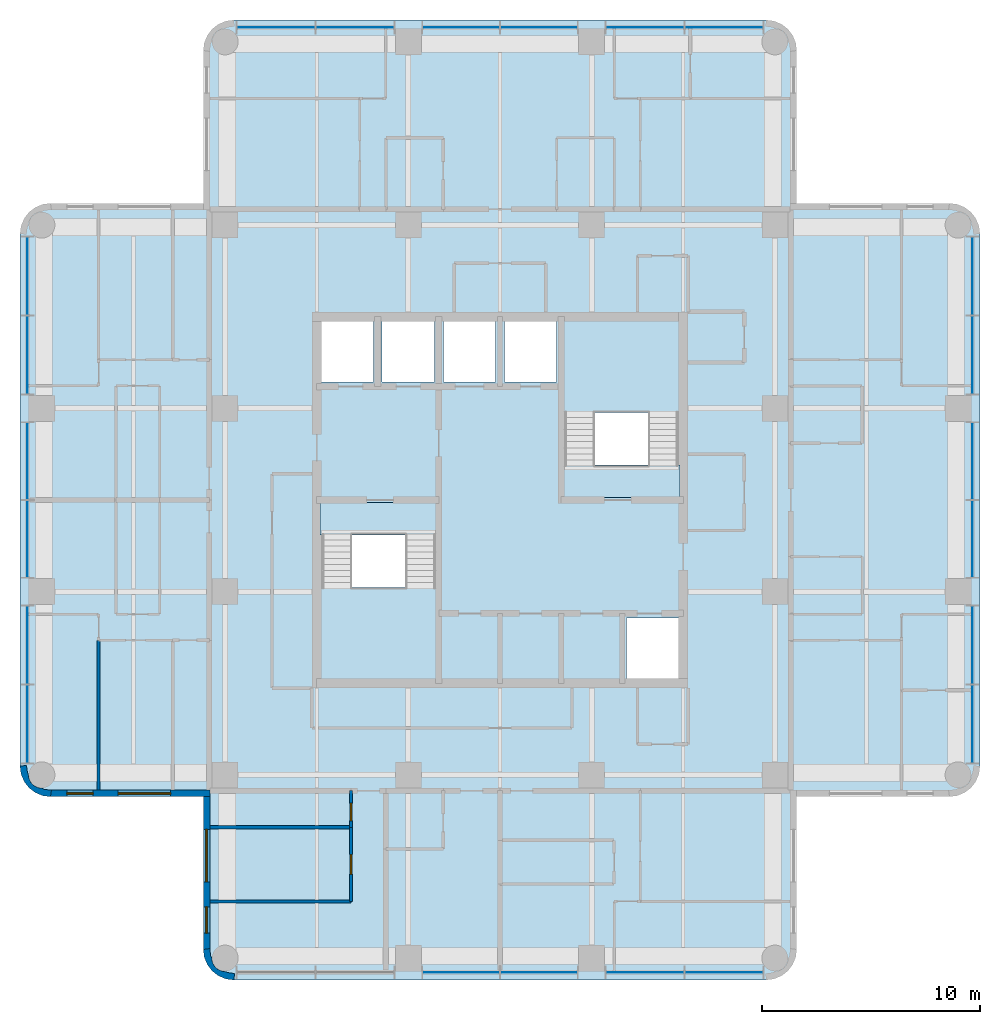
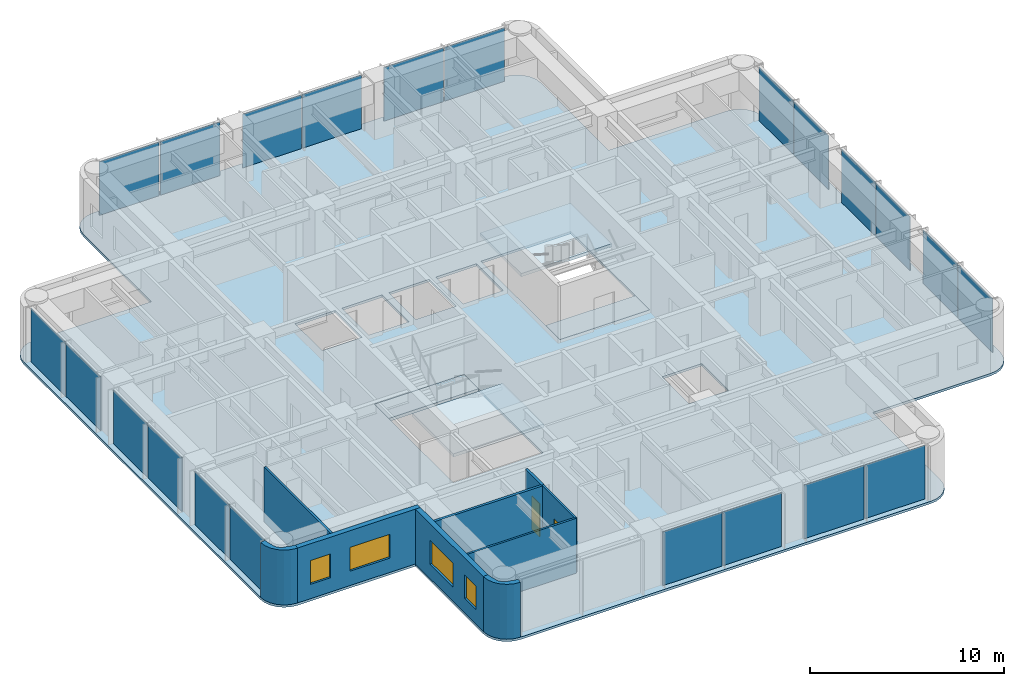
# One storey, part 3 of 9: 22 plates, 9 walls, 5 slabs, 4 windows, 2 doors, 6 openings, 6 elements without a shape of their own.
"""IFC4 building model written with IfcOpenShell, lengths in metres."""

from ifc_helpers import new_model, si_unit, direction, frame, frame_2d, origin, origin_2d, place, context, subcontext, project, spatial, polyline, rectangle, outline, extrude, material, layer, layer_set, type_object, element, fill, aggregate, save


model = new_model("IFC4")

# Units and contexts
model_context = context("Model", 3, precision=1e-05, world=origin(), true_north=direction((0.0, 1.0)))
body_context = subcontext(model_context, "Body", "Model", "MODEL_VIEW")
ifc_project = project(units=[si_unit("LENGTHUNIT", "METRE"), si_unit("AREAUNIT", "SQUARE_METRE"), si_unit("VOLUMEUNIT", "CUBIC_METRE"), si_unit("PLANEANGLEUNIT", "RADIAN"), si_unit("MASSUNIT", "GRAM", prefix="KILO")], contexts=[model_context])

# Site, building, storey
site_placement = place(None, origin())
site = spatial("IfcSite", under=ifc_project, at=site_placement, CompositionType="ELEMENT")
building_placement = place(site_placement, origin())
building = spatial("IfcBuilding", under=site, at=building_placement, Name="Torre Alcanfor", CompositionType="ELEMENT")
storey_placement = place(building_placement, frame((0.0, 0.0, 268.5)))
storey = spatial("IfcBuildingStorey", under=building, at=storey_placement, Name="L70", CompositionType="ELEMENT", Elevation=268.5)

# Curtain wall, plates
ifc_material_1 = material(Name="Aluminium and glass", Category="aluminium")
curtain_wall_type = type_object("IfcCurtainWallType", Name="CW-A unitised apartment glazing with vertical FIN", PredefinedType="NOTDEFINED", material=ifc_material_1)
curtain_wall_1_placement = place(storey_placement, origin())
curtain_wall_1 = element("IfcCurtainWall", 1, at=curtain_wall_1_placement, inside=storey, type_object=curtain_wall_type, Name="Curtain wall CW-A L70 2", PredefinedType="NOTDEFINED")
ifc_material_2 = material(Name="Glass", Category="glass")
ifc_layer_1 = layer(ifc_material_2, 0.028076171875)
ifc_layer_set_1 = layer_set([ifc_layer_1], Name="CW-A clear double glazed unit")
plate_type = type_object("IfcPlateType", Name="CW-A clear double glazed unit", PredefinedType="CURTAIN_PANEL", material=ifc_layer_set_1)
plate_1_placement = place(storey_placement, frame((7.75, 39.664794921875, 0.0), z_axis=(0.0, 0.0, 1.0), x_axis=(0.0, -1.0, 0.0)))
plate_1 = element("IfcPlate", 2, at=plate_1_placement, type_object=plate_type, Name="CW-A panel 1.1.1", PredefinedType="CURTAIN_PANEL", context=body_context, shape_type="SweptSolid", body=[
    extrude(rectangle(XDim=3.55322265625, YDim=0.028076171875, at=origin_2d()), origin(), (0.0, 0.0, 1.0), 3.385009765625),
])
plate_2_placement = place(storey_placement, frame((7.75, 36.046630859375, 0.0), z_axis=(0.0, 0.0, 1.0), x_axis=(0.0, -1.0, 0.0)))
plate_2 = element("IfcPlate", 3, at=plate_2_placement, type_object=plate_type, Name="CW-A panel 1.2.1", PredefinedType="CURTAIN_PANEL", context=body_context, shape_type="SweptSolid", body=[
    extrude(rectangle(XDim=3.55322265625, YDim=0.028076171875, at=origin_2d()), origin(), (0.0, 0.0, 1.0), 3.385009765625),
])
plate_3_placement = place(storey_placement, frame((7.75, 31.18115234375, 0.0), z_axis=(0.0, 0.0, 1.0), x_axis=(0.0, -1.0, 0.0)))
plate_3 = element("IfcPlate", 4, at=plate_3_placement, type_object=plate_type, Name="CW-A panel 2.1.1", PredefinedType="CURTAIN_PANEL", context=body_context, shape_type="SweptSolid", body=[
    extrude(rectangle(XDim=3.49755859375, YDim=0.028076171875, at=origin_2d()), origin(), (0.0, 0.0, 1.0), 3.385009765625),
])
plate_4_placement = place(storey_placement, frame((7.75, 27.61865234375, 0.0), z_axis=(0.0, 0.0, 1.0), x_axis=(0.0, -1.0, 0.0)))
plate_4 = element("IfcPlate", 5, at=plate_4_placement, type_object=plate_type, Name="CW-A panel 2.2.1", PredefinedType="CURTAIN_PANEL", context=body_context, shape_type="SweptSolid", body=[
    extrude(rectangle(XDim=3.49755859375, YDim=0.028076171875, at=origin_2d()), origin(), (0.0, 0.0, 1.0), 3.385009765625),
])
plate_5_placement = place(storey_placement, frame((7.75, 22.75341796875, 0.0), z_axis=(0.0, 0.0, 1.0), x_axis=(0.0, -1.0, 0.0)))
plate_5 = element("IfcPlate", 6, at=plate_5_placement, type_object=plate_type, Name="CW-A panel 3.1.1", PredefinedType="CURTAIN_PANEL", context=body_context, shape_type="SweptSolid", body=[
    extrude(rectangle(XDim=3.55322265625, YDim=0.028076171875, at=origin_2d()), origin(), (0.0, 0.0, 1.0), 3.385009765625),
])
plate_6_placement = place(storey_placement, frame((7.75, 19.135009765625, 0.0), z_axis=(0.0, 0.0, 1.0), x_axis=(0.0, -1.0, 0.0)))
plate_6 = element("IfcPlate", 7, at=plate_6_placement, type_object=plate_type, Name="CW-A panel 3.2.1", PredefinedType="CURTAIN_PANEL", context=body_context, shape_type="SweptSolid", body=[
    extrude(rectangle(XDim=3.55322265625, YDim=0.028076171875, at=origin_2d()), origin(), (0.0, 0.0, 1.0), 3.385009765625),
])
aggregate(curtain_wall_1, [plate_1, plate_2, plate_3, plate_4, plate_5, plate_6])

curtain_wall_2_placement = place(storey_placement, origin())
curtain_wall_2 = element("IfcCurtainWall", 8, at=curtain_wall_2_placement, inside=storey, type_object=curtain_wall_type, Name="Curtain wall CW-A L70 5", PredefinedType="NOTDEFINED")
plate_7_placement = place(storey_placement, frame((27.61865234375, 7.75, 0.0), z_axis=(0.0, 0.0, 1.0), x_axis=(1.0, 0.0, 0.0)))
plate_7 = element("IfcPlate", 9, at=plate_7_placement, type_object=plate_type, Name="CW-A panel 2.1.1", PredefinedType="CURTAIN_PANEL", context=body_context, shape_type="SweptSolid", body=[
    extrude(rectangle(XDim=3.49755859375, YDim=0.028076171875, at=origin_2d()), origin(), (0.0, 0.0, 1.0), 3.385009765625),
])
plate_8_placement = place(storey_placement, frame((31.18115234375, 7.75, 0.0), z_axis=(0.0, 0.0, 1.0), x_axis=(1.0, 0.0, 0.0)))
plate_8 = element("IfcPlate", 10, at=plate_8_placement, type_object=plate_type, Name="CW-A panel 2.2.1", PredefinedType="CURTAIN_PANEL", context=body_context, shape_type="SweptSolid", body=[
    extrude(rectangle(XDim=3.49755859375, YDim=0.028076171875, at=origin_2d()), origin(), (0.0, 0.0, 1.0), 3.385009765625),
])
plate_9_placement = place(storey_placement, frame((36.046630859375, 7.75, 0.0), z_axis=(0.0, 0.0, 1.0), x_axis=(1.0, 0.0, 0.0)))
plate_9 = element("IfcPlate", 11, at=plate_9_placement, type_object=plate_type, Name="CW-A panel 3.1.1", PredefinedType="CURTAIN_PANEL", context=body_context, shape_type="SweptSolid", body=[
    extrude(rectangle(XDim=3.55322265625, YDim=0.028076171875, at=origin_2d()), origin(), (0.0, 0.0, 1.0), 3.385009765625),
])
plate_10_placement = place(storey_placement, frame((39.664794921875, 7.75, 0.0), z_axis=(0.0, 0.0, 1.0), x_axis=(1.0, 0.0, 0.0)))
plate_10 = element("IfcPlate", 12, at=plate_10_placement, type_object=plate_type, Name="CW-A panel 3.2.1", PredefinedType="CURTAIN_PANEL", context=body_context, shape_type="SweptSolid", body=[
    extrude(rectangle(XDim=3.55322265625, YDim=0.028076171875, at=origin_2d()), origin(), (0.0, 0.0, 1.0), 3.385009765625),
])
aggregate(curtain_wall_2, [plate_7, plate_8, plate_9, plate_10])

curtain_wall_3_placement = place(storey_placement, origin())
curtain_wall_3 = element("IfcCurtainWall", 13, at=curtain_wall_3_placement, inside=storey, type_object=curtain_wall_type, Name="Curtain wall CW-A L70 8", PredefinedType="NOTDEFINED")
plate_11_placement = place(storey_placement, frame((51.050048828125, 19.135009765625, 0.0), z_axis=(0.0, 0.0, 1.0), x_axis=(0.0, 1.0, 0.0)))
plate_11 = element("IfcPlate", 14, at=plate_11_placement, type_object=plate_type, Name="CW-A panel 1.1.1", PredefinedType="CURTAIN_PANEL", context=body_context, shape_type="SweptSolid", body=[
    extrude(rectangle(XDim=3.55322265625, YDim=0.028076171875, at=origin_2d()), origin(), (0.0, 0.0, 1.0), 3.385009765625),
])
plate_12_placement = place(storey_placement, frame((51.050048828125, 22.75341796875, 0.0), z_axis=(0.0, 0.0, 1.0), x_axis=(0.0, 1.0, 0.0)))
plate_12 = element("IfcPlate", 15, at=plate_12_placement, type_object=plate_type, Name="CW-A panel 1.2.1", PredefinedType="CURTAIN_PANEL", context=body_context, shape_type="SweptSolid", body=[
    extrude(rectangle(XDim=3.55322265625, YDim=0.028076171875, at=origin_2d()), origin(), (0.0, 0.0, 1.0), 3.385009765625),
])
plate_13_placement = place(storey_placement, frame((51.050048828125, 27.61865234375, 0.0), z_axis=(0.0, 0.0, 1.0), x_axis=(0.0, 1.0, 0.0)))
plate_13 = element("IfcPlate", 16, at=plate_13_placement, type_object=plate_type, Name="CW-A panel 2.1.1", PredefinedType="CURTAIN_PANEL", context=body_context, shape_type="SweptSolid", body=[
    extrude(rectangle(XDim=3.49755859375, YDim=0.028076171875, at=origin_2d()), origin(), (0.0, 0.0, 1.0), 3.385009765625),
])
plate_14_placement = place(storey_placement, frame((51.050048828125, 31.18115234375, 0.0), z_axis=(0.0, 0.0, 1.0), x_axis=(0.0, 1.0, 0.0)))
plate_14 = element("IfcPlate", 17, at=plate_14_placement, type_object=plate_type, Name="CW-A panel 2.2.1", PredefinedType="CURTAIN_PANEL", context=body_context, shape_type="SweptSolid", body=[
    extrude(rectangle(XDim=3.49755859375, YDim=0.028076171875, at=origin_2d()), origin(), (0.0, 0.0, 1.0), 3.385009765625),
])
plate_15_placement = place(storey_placement, frame((51.050048828125, 36.046630859375, 0.0), z_axis=(0.0, 0.0, 1.0), x_axis=(0.0, 1.0, 0.0)))
plate_15 = element("IfcPlate", 18, at=plate_15_placement, type_object=plate_type, Name="CW-A panel 3.1.1", PredefinedType="CURTAIN_PANEL", context=body_context, shape_type="SweptSolid", body=[
    extrude(rectangle(XDim=3.55322265625, YDim=0.028076171875, at=origin_2d()), origin(), (0.0, 0.0, 1.0), 3.385009765625),
])
plate_16_placement = place(storey_placement, frame((51.050048828125, 39.664794921875, 0.0), z_axis=(0.0, 0.0, 1.0), x_axis=(0.0, 1.0, 0.0)))
plate_16 = element("IfcPlate", 19, at=plate_16_placement, type_object=plate_type, Name="CW-A panel 3.2.1", PredefinedType="CURTAIN_PANEL", context=body_context, shape_type="SweptSolid", body=[
    extrude(rectangle(XDim=3.55322265625, YDim=0.028076171875, at=origin_2d()), origin(), (0.0, 0.0, 1.0), 3.385009765625),
])
aggregate(curtain_wall_3, [plate_11, plate_12, plate_13, plate_14, plate_15, plate_16])

curtain_wall_4_placement = place(storey_placement, origin())
curtain_wall_4 = element("IfcCurtainWall", 20, at=curtain_wall_4_placement, inside=storey, type_object=curtain_wall_type, Name="Curtain wall CW-A L70 11", PredefinedType="NOTDEFINED")
plate_17_placement = place(storey_placement, frame((39.664794921875, 51.050048828125, 0.0), z_axis=(0.0, 0.0, 1.0), x_axis=(-1.0, 0.0, 0.0)))
plate_17 = element("IfcPlate", 21, at=plate_17_placement, type_object=plate_type, Name="CW-A panel 1.1.1", PredefinedType="CURTAIN_PANEL", context=body_context, shape_type="SweptSolid", body=[
    extrude(rectangle(XDim=3.55322265625, YDim=0.028076171875, at=origin_2d()), origin(), (0.0, 0.0, 1.0), 3.385009765625),
])
plate_18_placement = place(storey_placement, frame((36.046630859375, 51.050048828125, 0.0), z_axis=(0.0, 0.0, 1.0), x_axis=(-1.0, 0.0, 0.0)))
plate_18 = element("IfcPlate", 22, at=plate_18_placement, type_object=plate_type, Name="CW-A panel 1.2.1", PredefinedType="CURTAIN_PANEL", context=body_context, shape_type="SweptSolid", body=[
    extrude(rectangle(XDim=3.55322265625, YDim=0.028076171875, at=origin_2d()), origin(), (0.0, 0.0, 1.0), 3.385009765625),
])
plate_19_placement = place(storey_placement, frame((31.18115234375, 51.050048828125, 0.0), z_axis=(0.0, 0.0, 1.0), x_axis=(-1.0, 0.0, 0.0)))
plate_19 = element("IfcPlate", 23, at=plate_19_placement, type_object=plate_type, Name="CW-A panel 2.1.1", PredefinedType="CURTAIN_PANEL", context=body_context, shape_type="SweptSolid", body=[
    extrude(rectangle(XDim=3.49755859375, YDim=0.028076171875, at=origin_2d()), origin(), (0.0, 0.0, 1.0), 3.385009765625),
])
plate_20_placement = place(storey_placement, frame((27.61865234375, 51.050048828125, 0.0), z_axis=(0.0, 0.0, 1.0), x_axis=(-1.0, 0.0, 0.0)))
plate_20 = element("IfcPlate", 24, at=plate_20_placement, type_object=plate_type, Name="CW-A panel 2.2.1", PredefinedType="CURTAIN_PANEL", context=body_context, shape_type="SweptSolid", body=[
    extrude(rectangle(XDim=3.49755859375, YDim=0.028076171875, at=origin_2d()), origin(), (0.0, 0.0, 1.0), 3.385009765625),
])
plate_21_placement = place(storey_placement, frame((22.75341796875, 51.050048828125, 0.0), z_axis=(0.0, 0.0, 1.0), x_axis=(-1.0, 0.0, 0.0)))
plate_21 = element("IfcPlate", 25, at=plate_21_placement, type_object=plate_type, Name="CW-A panel 3.1.1", PredefinedType="CURTAIN_PANEL", context=body_context, shape_type="SweptSolid", body=[
    extrude(rectangle(XDim=3.55322265625, YDim=0.028076171875, at=origin_2d()), origin(), (0.0, 0.0, 1.0), 3.385009765625),
])
plate_22_placement = place(storey_placement, frame((19.135009765625, 51.050048828125, 0.0), z_axis=(0.0, 0.0, 1.0), x_axis=(-1.0, 0.0, 0.0)))
plate_22 = element("IfcPlate", 26, at=plate_22_placement, type_object=plate_type, Name="CW-A panel 3.2.1", PredefinedType="CURTAIN_PANEL", context=body_context, shape_type="SweptSolid", body=[
    extrude(rectangle(XDim=3.55322265625, YDim=0.028076171875, at=origin_2d()), origin(), (0.0, 0.0, 1.0), 3.385009765625),
])
aggregate(curtain_wall_4, [plate_17, plate_18, plate_19, plate_20, plate_21, plate_22])

# Slab
ifc_material_3 = material(Name="Concrete f'c 35 MPa", Category="concrete")
ifc_layer_2 = layer(ifc_material_3, 0.14990234375)
ifc_layer_set_2 = layer_set([ifc_layer_2], Name="Composite floor 150 on metal deck")
slab_type_1 = type_object("IfcSlabType", Name="Composite floor 150 on metal deck", PredefinedType="FLOOR", material=ifc_layer_set_2)
slab_1_placement = place(storey_placement, frame((0.0, 0.0, -0.14990234375)))
element("IfcSlab", 27, at=slab_1_placement, inside=storey, type_object=slab_type_1, Name="Floor slab L70", PredefinedType="FLOOR", context=body_context, shape_type="SweptSolid", body=[
    extrude(outline(polyline([(15.800048828125, 43.0), (8.800048828125, 43.0), (8.437744140625, 42.952392578125), (8.10009765625, 42.8125), (7.81005859375, 42.58984375), (7.587646484375, 42.300048828125), (7.44775390625, 41.96240234375), (7.39990234375, 41.60009765625), (7.39990234375, 17.199951171875), (7.44775390625, 16.837646484375), (7.587646484375, 16.5), (7.81005859375, 16.210205078125), (8.10009765625, 15.987548828125), (8.437744140625, 15.84765625), (8.800048828125, 15.800048828125), (15.800048828125, 15.800048828125), (15.800048828125, 8.800048828125), (15.84765625, 8.437744140625), (15.987548828125, 8.10009765625), (16.210205078125, 7.81005859375), (16.5, 7.587646484375), (16.837646484375, 7.44775390625), (17.199951171875, 7.39990234375), (41.60009765625, 7.39990234375), (41.96240234375, 7.44775390625), (42.300048828125, 7.587646484375), (42.58984375, 7.81005859375), (42.8125, 8.10009765625), (42.952392578125, 8.437744140625), (43.0, 8.800048828125), (43.0, 15.800048828125), (50.0, 15.800048828125), (50.3623046875, 15.84765625), (50.699951171875, 15.987548828125), (50.989990234375, 16.210205078125), (51.21240234375, 16.5), (51.352294921875, 16.837646484375), (51.39990234375, 17.199951171875), (51.39990234375, 41.60009765625), (51.352294921875, 41.96240234375), (51.21240234375, 42.300048828125), (50.989990234375, 42.58984375), (50.699951171875, 42.8125), (50.3623046875, 42.952392578125), (50.0, 43.0), (43.0, 43.0), (43.0, 50.0), (42.952392578125, 50.3623046875), (42.8125, 50.699951171875), (42.58984375, 50.989990234375), (42.300048828125, 51.21240234375), (41.96240234375, 51.352294921875), (41.60009765625, 51.39990234375), (17.199951171875, 51.39990234375), (16.837646484375, 51.352294921875), (16.5, 51.21240234375), (16.210205078125, 50.989990234375), (15.987548828125, 50.699951171875), (15.84765625, 50.3623046875), (15.800048828125, 50.0), (15.800048828125, 43.0)]), holes=[polyline([(21.14501953125, 21.14501953125), (26.47998046875, 21.14501953125), (26.47998046875, 29.280029296875), (21.14501953125, 29.280029296875), (21.14501953125, 21.14501953125)]), polyline([(32.320068359375, 29.52001953125), (37.655029296875, 29.52001953125), (37.655029296875, 37.655029296875), (32.320068359375, 37.655029296875), (32.320068359375, 29.52001953125)]), polyline([(35.199951171875, 21.22509765625), (37.574951171875, 21.22509765625), (37.574951171875, 24.0), (35.199951171875, 24.0), (35.199951171875, 21.22509765625)]), polyline([(21.22509765625, 34.800048828125), (23.60009765625, 34.800048828125), (23.60009765625, 37.574951171875), (21.22509765625, 37.574951171875), (21.22509765625, 34.800048828125)]), polyline([(24.0, 34.800048828125), (26.39990234375, 34.800048828125), (26.39990234375, 37.574951171875), (24.0, 37.574951171875), (24.0, 34.800048828125)]), polyline([(26.800048828125, 34.800048828125), (29.199951171875, 34.800048828125), (29.199951171875, 37.574951171875), (26.800048828125, 37.574951171875), (26.800048828125, 34.800048828125)]), polyline([(29.60009765625, 34.800048828125), (32.0, 34.800048828125), (32.0, 37.574951171875), (29.60009765625, 37.574951171875), (29.60009765625, 34.800048828125)])]), origin(), (0.0, 0.0, 1.0), 0.14990234375),
])

# Stair, slabs
ifc_material_4 = material(Name="Concrete f'c 35 MPa", Category="concrete")
stair_type_1 = type_object("IfcStairType", Name="Exit stair S1 1400 wide", PredefinedType="HALF_TURN_STAIR", material=ifc_material_4)
stair_1_placement = place(storey_placement, origin())
stair_1 = element("IfcStair", 28, at=stair_1_placement, inside=storey, type_object=stair_type_1, Name="Stair S1 L70 to L71", PredefinedType="HALF_TURN_STAIR")
ifc_material_5 = material(Name="Concrete f'c 35 MPa", Category="concrete")
ifc_layer_3 = layer(ifc_material_5, 0.199951171875)
ifc_layer_set_3 = layer_set([ifc_layer_3], Name="Stair landing 200")
slab_type_2 = type_object("IfcSlabType", Name="Stair landing 200", PredefinedType="LANDING", material=ifc_layer_set_3)
slab_2_placement = place(storey_placement, frame((0.0, 0.0, -0.199951171875)))
slab_2 = element("IfcSlab", 29, at=slab_2_placement, type_object=slab_type_2, Name="S1 landing 1", PredefinedType="LANDING", context=body_context, shape_type="SweptSolid", body=[
    extrude(outline(polyline([(21.14501953125, 27.800048828125), (26.47998046875, 27.800048828125), (26.47998046875, 29.280029296875), (21.14501953125, 29.280029296875), (21.14501953125, 27.800048828125)])), origin(), (0.0, 0.0, 1.0), 0.199951171875),
])
slab_3_placement = place(storey_placement, frame((0.0, 0.0, 1.60009765625)))
slab_3 = element("IfcSlab", 30, at=slab_3_placement, type_object=slab_type_2, Name="S1 landing 2", PredefinedType="LANDING", context=body_context, shape_type="SweptSolid", body=[
    extrude(outline(polyline([(21.14501953125, 21.14501953125), (26.530029296875, 21.14501953125), (26.530029296875, 25.3798828125), (21.14501953125, 25.3798828125), (21.14501953125, 21.14501953125)])), origin(), (0.0, 0.0, 1.0), 0.199951171875),
])
aggregate(stair_1, [slab_2, slab_3])

ifc_material_6 = material(Name="Concrete f'c 35 MPa", Category="concrete")
stair_type_2 = type_object("IfcStairType", Name="Exit stair S2 1400 wide", PredefinedType="HALF_TURN_STAIR", material=ifc_material_6)
stair_2_placement = place(storey_placement, origin())
stair_2 = element("IfcStair", 31, at=stair_2_placement, inside=storey, type_object=stair_type_2, Name="Stair S2 L70 to L71", PredefinedType="HALF_TURN_STAIR")
slab_4_placement = place(storey_placement, frame((0.0, 0.0, -0.199951171875)))
slab_4 = element("IfcSlab", 32, at=slab_4_placement, type_object=slab_type_2, Name="S2 landing 1", PredefinedType="LANDING", context=body_context, shape_type="SweptSolid", body=[
    extrude(outline(polyline([(32.320068359375, 29.52001953125), (37.655029296875, 29.52001953125), (37.655029296875, 31.0), (32.320068359375, 31.0), (32.320068359375, 29.52001953125)])), origin(), (0.0, 0.0, 1.0), 0.199951171875),
])
slab_5_placement = place(storey_placement, frame((0.0, 0.0, 1.60009765625)))
slab_5 = element("IfcSlab", 33, at=slab_5_placement, type_object=slab_type_2, Name="S2 landing 2", PredefinedType="LANDING", context=body_context, shape_type="SweptSolid", body=[
    extrude(outline(polyline([(32.27001953125, 33.419921875), (37.655029296875, 33.419921875), (37.655029296875, 37.655029296875), (32.27001953125, 37.655029296875), (32.27001953125, 33.419921875)])), origin(), (0.0, 0.0, 1.0), 0.199951171875),
])
aggregate(stair_2, [slab_4, slab_5])

# Wall
ifc_material_7 = material(Name="Gypsum board on steel studs", Category="steel")
ifc_layer_4 = layer(ifc_material_7, 0.1201171875)
ifc_layer_set_4 = layer_set([ifc_layer_4], Name="Apartment partition 120")
wall_type_1 = type_object("IfcWallType", Name="Apartment partition 120", PredefinedType="PARTITIONING", material=ifc_layer_set_4)
wall_1_placement = place(storey_placement, frame((16.10009765625, 11.0, 0.0), z_axis=(0.0, 0.0, 1.0), x_axis=(1.0, 0.0, 0.0)))
element("IfcWall", 34, at=wall_1_placement, inside=storey, type_object=wall_type_1, Name="Partition L70-S2B-LIVING / L70-S2B-MASTER", PredefinedType="PARTITIONING", context=body_context, shape_type="SweptSolid", body=[
    extrude(rectangle(XDim=6.470947265625, YDim=0.1201171875, at=frame_2d((3.2353515625, 0.0))), origin(), (0.0, 0.0, 1.0), 3.449951171875),
])

# Wall, opening, door
wall_2_placement = place(storey_placement, frame((22.571044921875, 11.0, 0.0), z_axis=(0.0, 0.0, 1.0), x_axis=(0.0, 1.0, 0.0)))
wall_2 = element("IfcWall", 35, at=wall_2_placement, inside=storey, type_object=wall_type_1, Name="Partition L70-S2B-LIVING / L70-S2B-MASTER", PredefinedType="PARTITIONING", context=body_context, shape_type="SweptSolid", body=[
    extrude(rectangle(XDim=3.39990234375, YDim=0.1201171875, at=frame_2d((1.699951171875, 0.0))), origin(), (0.0, 0.0, 1.0), 3.449951171875),
])
opening_1_placement = place(wall_2_placement, frame((1.25, 0.0, 0.0)))
opening_1 = element("IfcOpeningElement", 36, at=opening_1_placement, cuts=wall_2, Name="Opening D-R1", PredefinedType="OPENING", context=body_context, shape_type="SweptSolid", body=[
    extrude(rectangle(XDim=0.89990234375, YDim=2.10009765625, at=frame_2d((0.449951171875, 1.050048828125))), frame((0.0, 0.070068359375, 0.0), z_axis=(0.0, -1.0, 0.0), x_axis=(1.0, 0.0, 0.0)), (0.0, 0.0, 1.0), 0.14013671875),
])
ifc_material_8 = material(Name="Timber", Category="wood")
door_type_1 = type_object("IfcDoorType", Name="Internal door 900x2100", OperationType="SINGLE_SWING_LEFT", PredefinedType="DOOR", material=ifc_material_8)
door_1_placement = place(opening_1_placement, origin())
door_1 = element("IfcDoor", 37, at=door_1_placement, inside=storey, type_object=door_type_1, Name="Door L70-S2B master", OperationType="SINGLE_SWING_LEFT", OverallHeight=2.10009765625, OverallWidth=0.89990234375, PredefinedType="DOOR", context=body_context, shape_type="SweptSolid", body=[
    extrude(rectangle(XDim=0.89990234375, YDim=2.10009765625, at=frame_2d((0.449951171875, 1.050048828125))), frame((0.0, 0.02490234375, 0.0), z_axis=(0.0, -1.0, 0.0), x_axis=(1.0, 0.0, 0.0)), (0.0, 0.0, 1.0), 0.050048828125),
])
fill(opening_1, door_1)

# Wall
wall_3_placement = place(storey_placement, frame((11.0, 22.970947265625, 0.0), z_axis=(0.0, 0.0, 1.0), x_axis=(0.0, -1.0, 0.0)))
element("IfcWall", 38, at=wall_3_placement, inside=storey, type_object=wall_type_1, Name="Partition L70-W1-STUDY / L70-W1-MASTER", PredefinedType="PARTITIONING", context=body_context, shape_type="SweptSolid", body=[
    extrude(rectangle(XDim=6.870849609375, YDim=0.1201171875, at=frame_2d((3.435546875, 0.0))), origin(), (0.0, 0.0, 1.0), 3.449951171875),
])

# Wall, openings, windows
ifc_material_9 = material(Name="Limestone cladding", Category="masonry")
ifc_layer_5 = layer(ifc_material_9, 0.0400390625, Name="Facing")
ifc_material_10 = material(Name="Ventilated air cavity")
ifc_layer_6 = layer(ifc_material_10, 0.02001953125, ventilated=True, Name="Ventilated joint")
ifc_material_11 = material(Name="Mineral wool insulation", Category="insulation")
ifc_layer_7 = layer(ifc_material_11, 0.10009765625, Name="Insulation")
ifc_material_12 = material(Name="Concrete f'c 35 MPa", Category="concrete")
ifc_layer_8 = layer(ifc_material_12, 0.139892578125, Name="Backing")
ifc_layer_set_5 = layer_set([ifc_layer_5, ifc_layer_6, ifc_layer_7, ifc_layer_8], Name="External wall stone-clad 300")
wall_type_2 = type_object("IfcWallType", Name="External wall stone-clad 300", PredefinedType="SOLIDWALL", material=ifc_layer_set_5)
wall_4_placement = place(storey_placement, frame((8.800048828125, 15.949951171875, 0.0), z_axis=(0.0, 0.0, 1.0), x_axis=(1.0, 0.0, 0.0)))
wall_4 = element("IfcWall", 39, at=wall_4_placement, inside=storey, type_object=wall_type_2, Name="External wall L70 3", PredefinedType="SOLIDWALL", context=body_context, shape_type="SweptSolid", body=[
    extrude(rectangle(XDim=7.300048828125, YDim=0.300048828125, at=frame_2d((3.64990234375, 0.0))), origin(), (0.0, 0.0, 1.0), 3.449951171875),
])
opening_2_placement = place(wall_4_placement, frame((3.10009765625, 0.0, 0.89990234375)))
opening_2 = element("IfcOpeningElement", 40, at=opening_2_placement, cuts=wall_4, Name="Opening W1", PredefinedType="OPENING", context=body_context, shape_type="SweptSolid", body=[
    extrude(rectangle(XDim=2.39990234375, YDim=1.5, at=frame_2d((1.199951171875, 0.75))), frame((0.0, 0.159912109375, 0.0), z_axis=(0.0, -1.0, 0.0), x_axis=(1.0, 0.0, 0.0)), (0.0, 0.0, 1.0), 0.320068359375),
])
opening_3_placement = place(wall_4_placement, frame((0.75, 0.0, 0.89990234375)))
opening_3 = element("IfcOpeningElement", 41, at=opening_3_placement, cuts=wall_4, Name="Opening W4", PredefinedType="OPENING", context=body_context, shape_type="SweptSolid", body=[
    extrude(rectangle(XDim=1.199951171875, YDim=1.5, at=frame_2d((0.60009765625, 0.75))), frame((0.0, 0.159912109375, 0.0), z_axis=(0.0, -1.0, 0.0), x_axis=(1.0, 0.0, 0.0)), (0.0, 0.0, 1.0), 0.320068359375),
])
ifc_material_13 = material(Name="Aluminium frame with clear double glazing", Category="aluminium")
window_type_1 = type_object("IfcWindowType", Name="Window bedroom 1200x1500", PartitioningType="SINGLE_PANEL", PredefinedType="WINDOW", material=ifc_material_13)
window_1_placement = place(opening_3_placement, origin())
window_1 = element("IfcWindow", 42, at=window_1_placement, inside=storey, type_object=window_type_1, Name="Window W4 L70-W1", OverallHeight=1.5, OverallWidth=1.199951171875, PartitioningType="SINGLE_PANEL", PredefinedType="WINDOW", context=body_context, shape_type="SweptSolid", body=[
    extrude(rectangle(XDim=1.199951171875, YDim=1.5, at=frame_2d((0.60009765625, 0.75))), frame((0.0, 0.030029296875, 0.0), z_axis=(0.0, -1.0, 0.0), x_axis=(1.0, 0.0, 0.0)), (0.0, 0.0, 1.0), 0.06005859375),
])
fill(opening_3, window_1)
ifc_material_14 = material(Name="Aluminium frame with clear double glazing", Category="aluminium")
window_type_2 = type_object("IfcWindowType", Name="Window bedroom 2400x1500", PartitioningType="SINGLE_PANEL", PredefinedType="WINDOW", material=ifc_material_14)
window_2_placement = place(opening_2_placement, origin())
window_2 = element("IfcWindow", 43, at=window_2_placement, inside=storey, type_object=window_type_2, Name="Window W1 L70-W1", OverallHeight=1.5, OverallWidth=2.39990234375, PartitioningType="SINGLE_PANEL", PredefinedType="WINDOW", context=body_context, shape_type="SweptSolid", body=[
    extrude(rectangle(XDim=2.39990234375, YDim=1.5, at=frame_2d((1.199951171875, 0.75))), frame((0.0, 0.030029296875, 0.0), z_axis=(0.0, -1.0, 0.0), x_axis=(1.0, 0.0, 0.0)), (0.0, 0.0, 1.0), 0.06005859375),
])
fill(opening_2, window_2)

wall_5_placement = place(storey_placement, frame((15.949951171875, 15.800048828125, 0.0), z_axis=(0.0, 0.0, 1.0), x_axis=(0.0, -1.0, 0.0)))
wall_5 = element("IfcWall", 44, at=wall_5_placement, inside=storey, type_object=wall_type_2, Name="External wall L70 4", PredefinedType="SOLIDWALL", context=body_context, shape_type="SweptSolid", body=[
    extrude(rectangle(XDim=7.0, YDim=0.300048828125, at=frame_2d((3.5, 0.0))), origin(), (0.0, 0.0, 1.0), 3.449951171875),
])
opening_4_placement = place(wall_5_placement, frame((1.5, 0.0, 0.89990234375)))
opening_4 = element("IfcOpeningElement", 45, at=opening_4_placement, cuts=wall_5, Name="Opening W1", PredefinedType="OPENING", context=body_context, shape_type="SweptSolid", body=[
    extrude(rectangle(XDim=2.39990234375, YDim=1.5, at=frame_2d((1.199951171875, 0.75))), frame((0.0, 0.159912109375, 0.0), z_axis=(0.0, -1.0, 0.0), x_axis=(1.0, 0.0, 0.0)), (0.0, 0.0, 1.0), 0.320068359375),
])
opening_5_placement = place(wall_5_placement, frame((5.050048828125, 0.0, 0.89990234375)))
opening_5 = element("IfcOpeningElement", 46, at=opening_5_placement, cuts=wall_5, Name="Opening W4", PredefinedType="OPENING", context=body_context, shape_type="SweptSolid", body=[
    extrude(rectangle(XDim=1.199951171875, YDim=1.5, at=frame_2d((0.60009765625, 0.75))), frame((0.0, 0.159912109375, 0.0), z_axis=(0.0, -1.0, 0.0), x_axis=(1.0, 0.0, 0.0)), (0.0, 0.0, 1.0), 0.320068359375),
])
window_3_placement = place(opening_5_placement, origin())
window_3 = element("IfcWindow", 47, at=window_3_placement, inside=storey, type_object=window_type_1, Name="Window W4 L70-S2", OverallHeight=1.5, OverallWidth=1.199951171875, PartitioningType="SINGLE_PANEL", PredefinedType="WINDOW", context=body_context, shape_type="SweptSolid", body=[
    extrude(rectangle(XDim=1.199951171875, YDim=1.5, at=frame_2d((0.60009765625, 0.75))), frame((0.0, 0.030029296875, 0.0), z_axis=(0.0, -1.0, 0.0), x_axis=(1.0, 0.0, 0.0)), (0.0, 0.0, 1.0), 0.06005859375),
])
fill(opening_5, window_3)
window_4_placement = place(opening_4_placement, origin())
window_4 = element("IfcWindow", 48, at=window_4_placement, inside=storey, type_object=window_type_2, Name="Window W1 L70-S2", OverallHeight=1.5, OverallWidth=2.39990234375, PartitioningType="SINGLE_PANEL", PredefinedType="WINDOW", context=body_context, shape_type="SweptSolid", body=[
    extrude(rectangle(XDim=2.39990234375, YDim=1.5, at=frame_2d((1.199951171875, 0.75))), frame((0.0, 0.030029296875, 0.0), z_axis=(0.0, -1.0, 0.0), x_axis=(1.0, 0.0, 0.0)), (0.0, 0.0, 1.0), 0.06005859375),
])
fill(opening_4, window_4)

# Walls
ifc_layer_9 = layer(ifc_material_9, 0.0400390625, Name="Facing")
ifc_layer_10 = layer(ifc_material_10, 0.02001953125, ventilated=True, Name="Ventilated joint")
ifc_layer_11 = layer(ifc_material_11, 0.10009765625, Name="Insulation")
ifc_layer_12 = layer(ifc_material_12, 0.139892578125, Name="Backing")
ifc_layer_set_6 = layer_set([ifc_layer_9, ifc_layer_10, ifc_layer_11, ifc_layer_12], Name="Rounded corner pier stone-clad 300")
wall_type_3 = type_object("IfcWallType", Name="Rounded corner pier stone-clad 300", PredefinedType="SOLIDWALL", material=ifc_layer_set_6)
wall_6_placement = place(storey_placement, frame((7.824101883, 17.161581746, 0.0), z_axis=(0.0, 0.0, 1.0), x_axis=(-0.707106781187, -0.707106781187, 0.0)))
element("IfcWall", 49, at=wall_6_placement, inside=storey, type_object=wall_type_3, Name="Corner pier L70 14", PredefinedType="SOLIDWALL", context=body_context, shape_type="SweptSolid", body=[
    extrude(outline(polyline([(0.04667321568762184, 1.4544919802800873), (0.23311738650829356, 1.2117692912302127), (0.29215804060150635, 1.069174027250699), (0.3579314008632433, 1.0034006669889621), (0.4494271513585729, 0.7824297978681659), (0.4494271513585729, 0.5431597786483039), (0.35793140086324327, 0.322534176510509), (0.2921580406015063, 0.256760816248772), (0.23311738650829356, 0.11416555226925829), (0.046673215687621845, -0.12890240376361745), (0.032689902876071465, -0.14288571657516783), (0.2728230895534366, -0.32708565200633144), (0.4951750266062377, -0.037061386285286546), (0.6350081547217414, 0.30060972308993), (0.6826549983759133, 0.6627947882582349), (0.6350081547217414, 1.025325120409541), (0.49517502660623774, 1.3629962297847575), (0.27265045606193605, 1.652847862014302), (0.03251726938457078, 1.4686479265831383), (0.04667321568762184, 1.4544919802800873)])), origin(), (0.0, 0.0, 1.0), 3.449951171875),
])
wall_7_placement = place(storey_placement, frame((16.224101883, 8.761581746, 0.0), z_axis=(0.0, 0.0, 1.0), x_axis=(-0.707106781187, -0.707106781187, 0.0)))
element("IfcWall", 50, at=wall_7_placement, inside=storey, type_object=wall_type_3, Name="Corner pier L70 15", PredefinedType="SOLIDWALL", context=body_context, shape_type="SweptSolid", body=[
    extrude(outline(polyline([(0.032689902876070875, 1.4686824532814384), (0.04667321568762128, 1.4546991404698881), (0.233117386508293, 1.2116311844370125), (0.29215804060150563, 1.0690359204574986), (0.3579314008632426, 1.0032625601957617), (0.44942715135857225, 0.7826369580579667), (0.44942715135857225, 0.5433669388381047), (0.3579314008632426, 0.3223960697173086), (0.29215804060150563, 0.25662270945557164), (0.23311738650829295, 0.11402744547605792), (0.04667321568762121, -0.12869524357381656), (0.03251726938457021, -0.14285118987686757), (0.27265045606193533, -0.3270511253080312), (0.49517502660623713, -0.03719949307848694), (0.6350081547217409, 0.3004716162967297), (0.6826549983759126, 0.6630019484480357), (0.6350081547217409, 1.0251870136163408), (0.495175026606237, 1.362858122991557), (0.27282308955343604, 1.652882388712602), (0.032689902876070875, 1.4686824532814384)])), origin(), (0.0, 0.0, 1.0), 3.449951171875),
])

# Wall, opening, door
ifc_material_15 = material(Name="Cement board on steel studs", Category="steel")
ifc_layer_13 = layer(ifc_material_15, 0.14990234375)
ifc_layer_set_7 = layer_set([ifc_layer_13], Name="Wet area partition 150")
wall_type_4 = type_object("IfcWallType", Name="Wet area partition 150", PredefinedType="PARTITIONING", material=ifc_layer_set_7)
wall_8_placement = place(storey_placement, frame((22.571044921875, 14.39990234375, 0.0), z_axis=(0.0, 0.0, 1.0), x_axis=(0.0, 1.0, 0.0)))
wall_8 = element("IfcWall", 51, at=wall_8_placement, inside=storey, type_object=wall_type_4, Name="Partition L70-S2B-LIVING / L70-S2B-BATH", PredefinedType="PARTITIONING", context=body_context, shape_type="SweptSolid", body=[
    extrude(rectangle(XDim=1.675048828125, YDim=0.14990234375, at=frame_2d((0.83740234375, 0.0))), origin(), (0.0, 0.0, 1.0), 3.449951171875),
])
opening_6_placement = place(wall_8_placement, frame((0.300048828125, 0.0, 0.0)))
opening_6 = element("IfcOpeningElement", 52, at=opening_6_placement, cuts=wall_8, Name="Opening D-R2", PredefinedType="OPENING", context=body_context, shape_type="SweptSolid", body=[
    extrude(rectangle(XDim=0.800048828125, YDim=2.10009765625, at=frame_2d((0.39990234375, 1.050048828125))), frame((0.0, 0.0849609375, 0.0), z_axis=(0.0, -1.0, 0.0), x_axis=(1.0, 0.0, 0.0)), (0.0, 0.0, 1.0), 0.169921875),
])
ifc_material_16 = material(Name="Timber", Category="wood")
door_type_2 = type_object("IfcDoorType", Name="Bathroom door 800x2100", OperationType="SINGLE_SWING_LEFT", PredefinedType="DOOR", material=ifc_material_16)
door_2_placement = place(opening_6_placement, origin())
door_2 = element("IfcDoor", 53, at=door_2_placement, inside=storey, type_object=door_type_2, Name="Door L70-S2B bath", OperationType="SINGLE_SWING_LEFT", OverallHeight=2.10009765625, OverallWidth=0.800048828125, PredefinedType="DOOR", context=body_context, shape_type="SweptSolid", body=[
    extrude(rectangle(XDim=0.800048828125, YDim=2.10009765625, at=frame_2d((0.39990234375, 1.050048828125))), frame((0.0, 0.02490234375, 0.0), z_axis=(0.0, -1.0, 0.0), x_axis=(1.0, 0.0, 0.0)), (0.0, 0.0, 1.0), 0.050048828125),
])
fill(opening_6, door_2)

# Wall
wall_9_placement = place(storey_placement, frame((22.571044921875, 14.39990234375, 0.0), z_axis=(0.0, 0.0, 1.0), x_axis=(-1.0, 0.0, 0.0)))
element("IfcWall", 54, at=wall_9_placement, inside=storey, type_object=wall_type_4, Name="Partition L70-S2B-BATH / L70-S2B-MASTER", PredefinedType="PARTITIONING", context=body_context, shape_type="SweptSolid", body=[
    extrude(rectangle(XDim=6.470947265625, YDim=0.14990234375, at=frame_2d((3.2353515625, 0.0))), origin(), (0.0, 0.0, 1.0), 3.449951171875),
])

save(model, "model.ifc")
